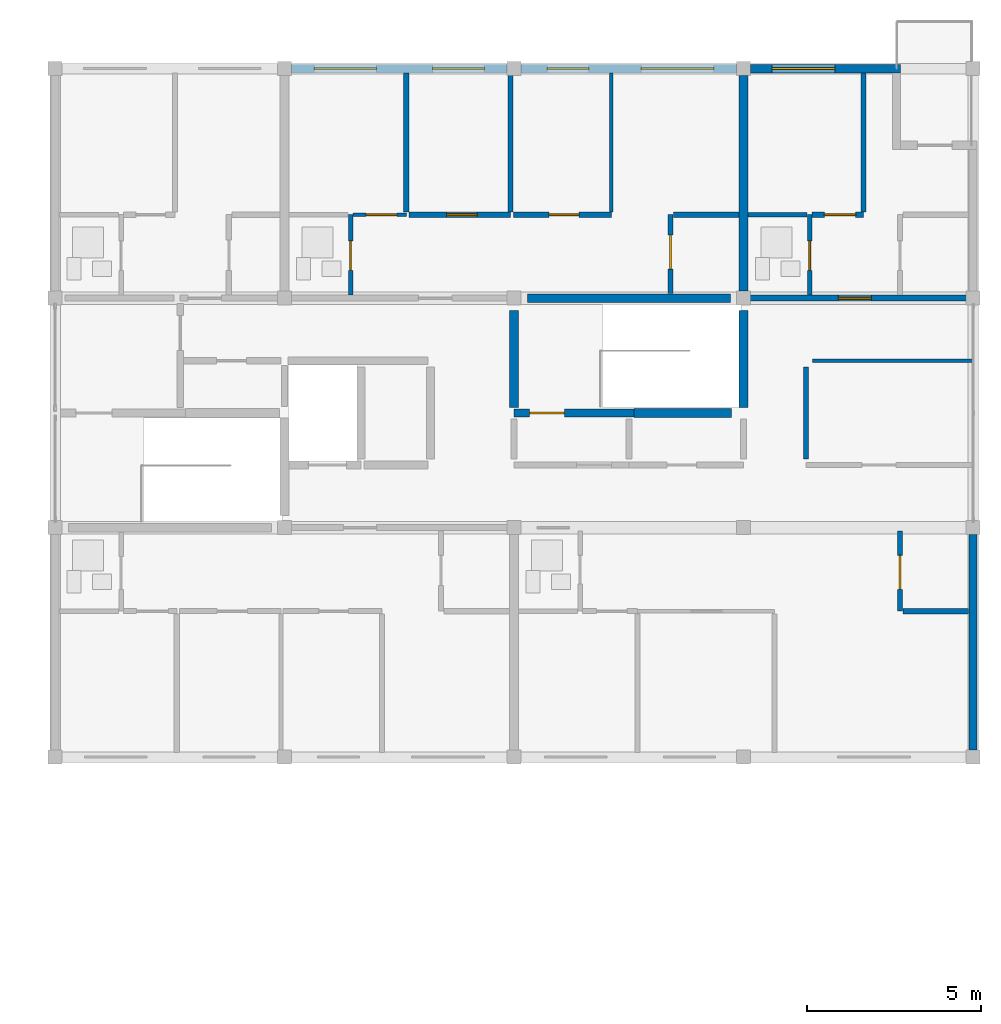
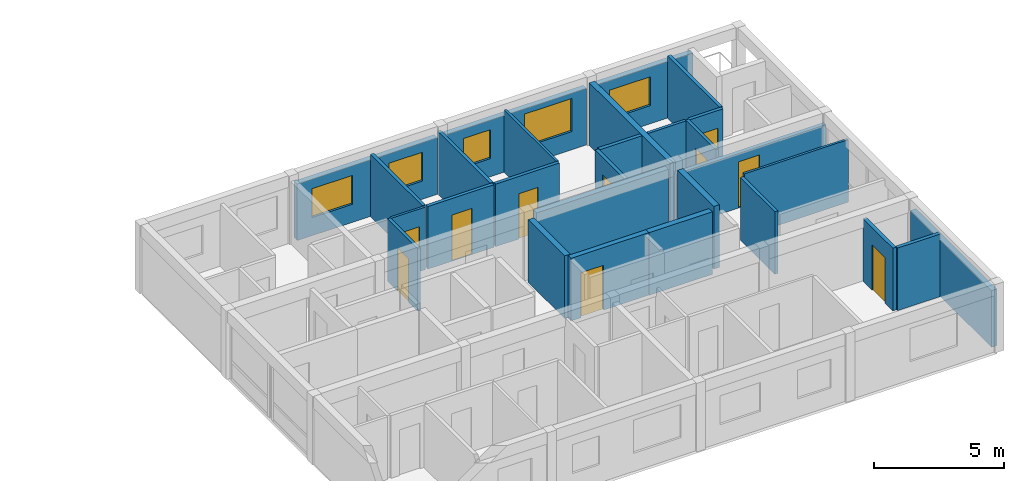
# One storey, part 18 of 23: 28 walls, 10 doors, 5 windows, 15 openings.
"""IFC4 building model written with IfcOpenShell, lengths in metres."""

from ifc_helpers import new_model, si_unit, direction, frame, frame_2d, origin, place, context, subcontext, project, spatial, rectangle, extrude, material, layer, layer_set, type_object, element, fill, save


model = new_model("IFC4")

# Units and contexts
model_context = context("Model", 3, precision=1e-05, world=origin(), true_north=direction((0.0, 1.0)))
body_context = subcontext(model_context, "Body", "Model", "MODEL_VIEW")
ifc_project = project(units=[si_unit("LENGTHUNIT", "METRE"), si_unit("AREAUNIT", "SQUARE_METRE"), si_unit("VOLUMEUNIT", "CUBIC_METRE"), si_unit("PLANEANGLEUNIT", "RADIAN"), si_unit("MASSUNIT", "GRAM", prefix="KILO")], contexts=[model_context])

# Site, building, storey
site_placement = place(None, origin())
site = spatial("IfcSite", under=ifc_project, at=site_placement, CompositionType="ELEMENT")
building_placement = place(site_placement, origin())
building = spatial("IfcBuilding", under=site, at=building_placement, Name="Kernevlak Ridge Housing Community", CompositionType="ELEMENT")
storey_placement = place(building_placement, frame((0.0, 0.0, 46.800048828125)))
storey = spatial("IfcBuildingStorey", under=building, at=storey_placement, Name="L14", CompositionType="ELEMENT", Elevation=46.800048828125)

# Wall, openings, windows
ifc_material_1 = material(Name="Concrete block masonry M10", Category="masonry")
ifc_layer_1 = layer(ifc_material_1, 0.239990234375, Name="Concrete block masonry M10")
ifc_layer_set_1 = layer_set([ifc_layer_1], Name="Concrete block masonry M10")
wall_type_1 = type_object("IfcWallType", Name="EW-06", PredefinedType="STANDARD", material=ifc_layer_set_1)
wall_1_placement = place(storey_placement, frame((126.199951171875, 102.39990234375, 0.0), z_axis=(0.0, 0.0, 1.0), x_axis=(1.0, 0.0, 0.0)))
wall_1 = element("IfcWall", 1, at=wall_1_placement, inside=storey, type_object=wall_type_1, Name="Exterior wall EW-06 L14 519", PredefinedType="STANDARD", context=body_context, shape_type="SweptSolid", body=[
    extrude(rectangle(XDim=6.199951171875, YDim=0.239990234375, at=frame_2d((3.10009765625, 0.0))), origin(), (0.0, 0.0, 1.0), 2.64990234375),
])
opening_1_placement = place(wall_1_placement, frame((0.64990234375, 0.0, 0.85009765625)))
opening_1 = element("IfcOpeningElement", 2, at=opening_1_placement, cuts=wall_1, Name="Opening WT-03", PredefinedType="OPENING", context=body_context, shape_type="SweptSolid", body=[
    extrude(rectangle(XDim=1.800048828125, YDim=1.35009765625, at=frame_2d((0.89990234375, 0.675048828125))), frame((0.0, 0.1298828125, 0.0), z_axis=(0.0, -1.0, 0.0), x_axis=(1.0, 0.0, 0.0)), (0.0, 0.0, 1.0), 0.260009765625),
])
opening_2_placement = place(wall_1_placement, frame((4.050048828125, 0.0, 0.85009765625)))
opening_2 = element("IfcOpeningElement", 3, at=opening_2_placement, cuts=wall_1, Name="Opening WT-02", PredefinedType="OPENING", context=body_context, shape_type="SweptSolid", body=[
    extrude(rectangle(XDim=1.5, YDim=1.35009765625, at=frame_2d((0.75, 0.675048828125))), frame((0.0, 0.1298828125, 0.0), z_axis=(0.0, -1.0, 0.0), x_axis=(1.0, 0.0, 0.0)), (0.0, 0.0, 1.0), 0.260009765625),
])
ifc_material_2 = material(Name="Aluminium EN AW-6060 anodised and laminated glass", Category="aluminium")
window_type_1 = type_object("IfcWindowType", Name="WT-02", PartitioningType="SINGLE_PANEL", PredefinedType="WINDOW", material=ifc_material_2)
window_1_placement = place(opening_2_placement, origin())
window_1 = element("IfcWindow", 4, at=window_1_placement, inside=storey, type_object=window_type_1, Name="Window WT-02 L14 411", OverallHeight=1.35009765625, OverallWidth=1.5, PartitioningType="SINGLE_PANEL", PredefinedType="WINDOW", context=body_context, shape_type="SweptSolid", body=[
    extrude(rectangle(XDim=1.5, YDim=1.35009765625, at=frame_2d((0.75, 0.675048828125))), frame((0.0, 0.030029296875, 0.0), z_axis=(0.0, -1.0, 0.0), x_axis=(1.0, 0.0, 0.0)), (0.0, 0.0, 1.0), 0.06005859375),
])
fill(opening_2, window_1)
window_type_2 = type_object("IfcWindowType", Name="WT-03", PartitioningType="SINGLE_PANEL", PredefinedType="WINDOW", material=ifc_material_2)
window_2_placement = place(opening_1_placement, origin())
window_2 = element("IfcWindow", 5, at=window_2_placement, inside=storey, type_object=window_type_2, Name="Window WT-03 L14 410", OverallHeight=1.35009765625, OverallWidth=1.800048828125, PartitioningType="SINGLE_PANEL", PredefinedType="WINDOW", context=body_context, shape_type="SweptSolid", body=[
    extrude(rectangle(XDim=1.800048828125, YDim=1.35009765625, at=frame_2d((0.89990234375, 0.675048828125))), frame((0.0, 0.030029296875, 0.0), z_axis=(0.0, -1.0, 0.0), x_axis=(1.0, 0.0, 0.0)), (0.0, 0.0, 1.0), 0.06005859375),
])
fill(opening_1, window_2)

wall_2_placement = place(storey_placement, frame((132.800048828125, 102.39990234375, 0.0), z_axis=(0.0, 0.0, 1.0), x_axis=(1.0, 0.0, 0.0)))
wall_2 = element("IfcWall", 6, at=wall_2_placement, inside=storey, type_object=wall_type_1, Name="Exterior wall EW-06 L14 520", PredefinedType="STANDARD", context=body_context, shape_type="SweptSolid", body=[
    extrude(rectangle(XDim=6.199951171875, YDim=0.239990234375, at=frame_2d((3.10009765625, 0.0))), origin(), (0.0, 0.0, 1.0), 2.64990234375),
])
opening_3_placement = place(wall_2_placement, frame((0.75, 0.0, 0.85009765625)))
opening_3 = element("IfcOpeningElement", 7, at=opening_3_placement, cuts=wall_2, Name="Opening WT-01", PredefinedType="OPENING", context=body_context, shape_type="SweptSolid", body=[
    extrude(rectangle(XDim=1.199951171875, YDim=1.35009765625, at=frame_2d((0.60009765625, 0.675048828125))), frame((0.0, 0.1298828125, 0.0), z_axis=(0.0, -1.0, 0.0), x_axis=(1.0, 0.0, 0.0)), (0.0, 0.0, 1.0), 0.260009765625),
])
opening_4_placement = place(wall_2_placement, frame((3.449951171875, 0.0, 0.85009765625)))
opening_4 = element("IfcOpeningElement", 8, at=opening_4_placement, cuts=wall_2, Name="Opening WT-05", PredefinedType="OPENING", context=body_context, shape_type="SweptSolid", body=[
    extrude(rectangle(XDim=2.10009765625, YDim=1.550048828125, at=frame_2d((1.050048828125, 0.77490234375))), frame((0.0, 0.1298828125, 0.0), z_axis=(0.0, -1.0, 0.0), x_axis=(1.0, 0.0, 0.0)), (0.0, 0.0, 1.0), 0.260009765625),
])
window_type_3 = type_object("IfcWindowType", Name="WT-01", PartitioningType="SINGLE_PANEL", PredefinedType="WINDOW", material=ifc_material_2)
window_3_placement = place(opening_3_placement, origin())
window_3 = element("IfcWindow", 9, at=window_3_placement, inside=storey, type_object=window_type_3, Name="Window WT-01 L14 412", OverallHeight=1.35009765625, OverallWidth=1.199951171875, PartitioningType="SINGLE_PANEL", PredefinedType="WINDOW", context=body_context, shape_type="SweptSolid", body=[
    extrude(rectangle(XDim=1.199951171875, YDim=1.35009765625, at=frame_2d((0.60009765625, 0.675048828125))), frame((0.0, 0.030029296875, 0.0), z_axis=(0.0, -1.0, 0.0), x_axis=(1.0, 0.0, 0.0)), (0.0, 0.0, 1.0), 0.06005859375),
])
fill(opening_3, window_3)
window_type_4 = type_object("IfcWindowType", Name="WT-05", PartitioningType="SINGLE_PANEL", PredefinedType="WINDOW", material=ifc_material_2)
window_4_placement = place(opening_4_placement, origin())
window_4 = element("IfcWindow", 10, at=window_4_placement, inside=storey, type_object=window_type_4, Name="Window WT-05 L14 413", OverallHeight=1.550048828125, OverallWidth=2.10009765625, PartitioningType="SINGLE_PANEL", PredefinedType="WINDOW", context=body_context, shape_type="SweptSolid", body=[
    extrude(rectangle(XDim=2.10009765625, YDim=1.550048828125, at=frame_2d((1.050048828125, 0.77490234375))), frame((0.0, 0.030029296875, 0.0), z_axis=(0.0, -1.0, 0.0), x_axis=(1.0, 0.0, 0.0)), (0.0, 0.0, 1.0), 0.06005859375),
])
fill(opening_4, window_4)

# Wall, opening, window
wall_3_placement = place(storey_placement, frame((139.39990234375, 102.39990234375, 0.0), z_axis=(0.0, 0.0, 1.0), x_axis=(1.0, 0.0, 0.0)))
wall_3 = element("IfcWall", 11, at=wall_3_placement, inside=storey, type_object=wall_type_1, Name="Exterior wall EW-06 L14 521", PredefinedType="STANDARD", context=body_context, shape_type="SweptSolid", body=[
    extrude(rectangle(XDim=4.320068359375, YDim=0.239990234375, at=frame_2d((2.16015625, 0.0))), origin(), (0.0, 0.0, 1.0), 2.64990234375),
])
opening_5_placement = place(wall_3_placement, frame((0.625, 0.0, 0.85009765625)))
opening_5 = element("IfcOpeningElement", 12, at=opening_5_placement, cuts=wall_3, Name="Opening WT-03", PredefinedType="OPENING", context=body_context, shape_type="SweptSolid", body=[
    extrude(rectangle(XDim=1.800048828125, YDim=1.35009765625, at=frame_2d((0.89990234375, 0.675048828125))), frame((0.0, 0.1298828125, 0.0), z_axis=(0.0, -1.0, 0.0), x_axis=(1.0, 0.0, 0.0)), (0.0, 0.0, 1.0), 0.260009765625),
])
window_5_placement = place(opening_5_placement, origin())
window_5 = element("IfcWindow", 13, at=window_5_placement, inside=storey, type_object=window_type_2, Name="Window WT-03 L14 414", OverallHeight=1.35009765625, OverallWidth=1.800048828125, PartitioningType="SINGLE_PANEL", PredefinedType="WINDOW", context=body_context, shape_type="SweptSolid", body=[
    extrude(rectangle(XDim=1.800048828125, YDim=1.35009765625, at=frame_2d((0.89990234375, 0.675048828125))), frame((0.0, 0.030029296875, 0.0), z_axis=(0.0, -1.0, 0.0), x_axis=(1.0, 0.0, 0.0)), (0.0, 0.0, 1.0), 0.06005859375),
])
fill(opening_5, window_5)

# Wall
wall_4_placement = place(storey_placement, frame((145.800048828125, 82.800048828125, 0.0), z_axis=(0.0, 0.0, 1.0), x_axis=(0.0, 1.0, 0.0)))
element("IfcWall", 14, at=wall_4_placement, inside=storey, type_object=wall_type_1, Name="Exterior wall EW-06 L14 526", PredefinedType="STANDARD", context=body_context, shape_type="SweptSolid", body=[
    extrude(rectangle(XDim=6.199951171875, YDim=0.239990234375, at=frame_2d((3.10009765625, 0.0))), origin(), (0.0, 0.0, 1.0), 2.64990234375),
])

# Wall, opening, door
ifc_material_3 = material(Name="Concrete C35/45", Category="concrete")
ifc_layer_2 = layer(ifc_material_3, 0.22509765625, Name="Concrete C35/45")
ifc_layer_set_2 = layer_set([ifc_layer_2], Name="Concrete C35/45")
wall_type_2 = type_object("IfcWallType", Name="PW-01", PredefinedType="STANDARD", material=ifc_layer_set_2)
wall_5_placement = place(storey_placement, frame((132.60009765625, 92.5, 0.0), z_axis=(0.0, 0.0, 1.0), x_axis=(1.0, 0.0, 0.0)))
wall_5 = element("IfcWall", 15, at=wall_5_placement, inside=storey, type_object=wall_type_2, Name="Interior wall PW-01 WAL-INT-L14-2029", PredefinedType="STANDARD", context=body_context, shape_type="SweptSolid", body=[
    extrude(rectangle(XDim=3.449951171875, YDim=0.22509765625, at=frame_2d((1.72509765625, 0.0))), origin(), (0.0, 0.0, 1.0), 2.929931640625),
])
opening_6_placement = place(wall_5_placement, frame((0.449951171875, 0.0, 0.0)))
opening_6 = element("IfcOpeningElement", 16, at=opening_6_placement, cuts=wall_5, Name="Opening E029", PredefinedType="OPENING", context=body_context, shape_type="SweptSolid", body=[
    extrude(rectangle(XDim=1.0, YDim=2.10009765625, at=frame_2d((0.5, 1.050048828125))), frame((0.0, 0.12255859375, 0.0), z_axis=(0.0, -1.0, 0.0), x_axis=(1.0, 0.0, 0.0)), (0.0, 0.0, 1.0), 0.2451171875),
])
ifc_material_4 = material(Name="Fire-rated sheet steel leaf", Category="steel")
door_type_1 = type_object("IfcDoorType", Name="DT-05", OperationType="NOTDEFINED", PredefinedType="DOOR", material=ifc_material_4)
door_1_placement = place(opening_6_placement, origin())
door_1 = element("IfcDoor", 17, at=door_1_placement, inside=storey, type_object=door_type_1, Name="Block B Stair 2 fire door E029", OperationType="SINGLE_SWING_RIGHT", OverallHeight=2.10009765625, OverallWidth=1.0, PredefinedType="DOOR", context=body_context, shape_type="SweptSolid", body=[
    extrude(rectangle(XDim=1.0, YDim=2.10009765625, at=frame_2d((0.5, 1.050048828125))), frame((0.0, 0.02490234375, 0.0), z_axis=(0.0, -1.0, 0.0), x_axis=(1.0, 0.0, 0.0)), (0.0, 0.0, 1.0), 0.050048828125),
])
fill(opening_6, door_1)

ifc_layer_3 = layer(ifc_material_1, 0.175048828125, Name="Concrete block masonry M10")
ifc_layer_set_3 = layer_set([ifc_layer_3], Name="Concrete block masonry M10")
wall_type_3 = type_object("IfcWallType", Name="PW-02", PredefinedType="PARTITIONING", material=ifc_layer_set_3)
wall_6_placement = place(storey_placement, frame((139.199951171875, 95.800048828125, 0.0), z_axis=(0.0, 0.0, 1.0), x_axis=(1.0, 0.0, 0.0)))
wall_6 = element("IfcWall", 18, at=wall_6_placement, inside=storey, type_object=wall_type_3, Name="Interior wall PW-02 WAL-INT-L14-2077", PredefinedType="PARTITIONING", context=body_context, shape_type="SweptSolid", body=[
    extrude(rectangle(XDim=6.60009765625, YDim=0.175048828125, at=frame_2d((3.300048828125, 0.0))), origin(), (0.0, 0.0, 1.0), 2.550048828125),
])
opening_7_placement = place(wall_6_placement, frame((2.72509765625, 0.0, 0.0)))
opening_7 = element("IfcOpeningElement", 19, at=opening_7_placement, cuts=wall_6, Name="Opening E054", PredefinedType="OPENING", context=body_context, shape_type="SweptSolid", body=[
    extrude(rectangle(XDim=0.949951171875, YDim=2.159912109375, at=frame_2d((0.47509765625, 1.080078125))), frame((0.0, 0.097412109375, 0.0), z_axis=(0.0, -1.0, 0.0), x_axis=(1.0, 0.0, 0.0)), (0.0, 0.0, 1.0), 0.195068359375),
])
ifc_material_5 = material(Name="Hardwood timber solid-core fire leaf", Category="wood")
door_type_2 = type_object("IfcDoorType", Name="DT-02", OperationType="NOTDEFINED", PredefinedType="DOOR", material=ifc_material_5)
door_2_placement = place(opening_7_placement, origin())
door_2 = element("IfcDoor", 20, at=door_2_placement, inside=storey, type_object=door_type_2, Name="Flat B1423 entrance fire door E054", OperationType="SINGLE_SWING_LEFT", OverallHeight=2.159912109375, OverallWidth=0.949951171875, PredefinedType="DOOR", context=body_context, shape_type="SweptSolid", body=[
    extrude(rectangle(XDim=0.949951171875, YDim=2.159912109375, at=frame_2d((0.47509765625, 1.080078125))), frame((0.0, 0.02490234375, 0.0), z_axis=(0.0, -1.0, 0.0), x_axis=(1.0, 0.0, 0.0)), (0.0, 0.0, 1.0), 0.050048828125),
])
fill(opening_7, door_2)

# Walls
ifc_layer_4 = layer(ifc_material_1, 0.14501953125, Name="Concrete block masonry M10")
ifc_layer_set_4 = layer_set([ifc_layer_4], Name="Concrete block masonry M10")
wall_type_4 = type_object("IfcWallType", Name="PW-03", PredefinedType="PARTITIONING", material=ifc_layer_set_4)
wall_7_placement = place(storey_placement, frame((141.0, 91.179931640625, 0.0), z_axis=(0.0, 0.0, 1.0), x_axis=(0.0, 1.0, 0.0)))
element("IfcWall", 21, at=wall_7_placement, inside=storey, type_object=wall_type_4, Name="Interior wall PW-03 WAL-INT-L14-2037", PredefinedType="PARTITIONING", context=body_context, shape_type="SweptSolid", body=[
    extrude(rectangle(XDim=2.64013671875, YDim=0.14501953125, at=frame_2d((1.320068359375, 0.0))), origin(), (0.0, 0.0, 1.0), 2.929931640625),
])
wall_8_placement = place(storey_placement, frame((129.5, 98.280029296875, 0.0), z_axis=(0.0, 0.0, 1.0), x_axis=(0.0, 1.0, 0.0)))
element("IfcWall", 22, at=wall_8_placement, inside=storey, type_object=wall_type_4, Name="Interior wall PW-03 WAL-INT-L14-2072", PredefinedType="PARTITIONING", context=body_context, shape_type="SweptSolid", body=[
    extrude(rectangle(XDim=3.989990234375, YDim=0.14501953125, at=frame_2d((1.9951171875, 0.0))), origin(), (0.0, 0.0, 1.0), 2.929931640625),
])

# Wall, opening, door
wall_9_placement = place(storey_placement, frame((129.58251953125, 98.199951171875, 0.0), z_axis=(0.0, 0.0, 1.0), x_axis=(1.0, 0.0, 0.0)))
wall_9 = element("IfcWall", 23, at=wall_9_placement, inside=storey, type_object=wall_type_4, Name="Interior wall PW-03 WAL-INT-L14-2073", PredefinedType="PARTITIONING", context=body_context, shape_type="SweptSolid", body=[
    extrude(rectangle(XDim=2.91748046875, YDim=0.14501953125, at=frame_2d((1.458740234375, 0.0))), origin(), (0.0, 0.0, 1.0), 2.929931640625),
])
opening_8_placement = place(wall_9_placement, frame((1.074951171875, 0.0, 0.0)))
opening_8 = element("IfcOpeningElement", 24, at=opening_8_placement, cuts=wall_9, Name="Opening E052", PredefinedType="OPENING", context=body_context, shape_type="SweptSolid", body=[
    extrude(rectangle(XDim=0.8798828125, YDim=2.159912109375, at=frame_2d((0.43994140625, 1.080078125))), frame((0.0, 0.08251953125, 0.0), z_axis=(0.0, -1.0, 0.0), x_axis=(1.0, 0.0, 0.0)), (0.0, 0.0, 1.0), 0.1650390625),
])
ifc_material_6 = material(Name="Hardwood timber leaf", Category="wood")
door_type_3 = type_object("IfcDoorType", Name="DT-26", OperationType="NOTDEFINED", PredefinedType="DOOR", material=ifc_material_6)
door_3_placement = place(opening_8_placement, origin())
door_3 = element("IfcDoor", 25, at=door_3_placement, inside=storey, type_object=door_type_3, Name="Flat B1422 bedroom door E052", OperationType="SINGLE_SWING_LEFT", OverallHeight=2.159912109375, OverallWidth=0.8798828125, PredefinedType="DOOR", context=body_context, shape_type="SweptSolid", body=[
    extrude(rectangle(XDim=0.8798828125, YDim=2.159912109375, at=frame_2d((0.43994140625, 1.080078125))), frame((0.0, 0.02490234375, 0.0), z_axis=(0.0, -1.0, 0.0), x_axis=(1.0, 0.0, 0.0)), (0.0, 0.0, 1.0), 0.050048828125),
])
fill(opening_8, door_3)

# Wall
wall_10_placement = place(storey_placement, frame((132.5, 98.282470703125, 0.0), z_axis=(0.0, 0.0, 1.0), x_axis=(0.0, 1.0, 0.0)))
element("IfcWall", 26, at=wall_10_placement, inside=storey, type_object=wall_type_4, Name="Interior wall PW-03 WAL-INT-L14-2074", PredefinedType="PARTITIONING", context=body_context, shape_type="SweptSolid", body=[
    extrude(rectangle(XDim=4.03759765625, YDim=0.14501953125, at=frame_2d((2.018798828125, 0.0))), origin(), (0.0, 0.0, 1.0), 2.929931640625),
])

# Wall, opening, door
wall_11_placement = place(storey_placement, frame((132.58251953125, 98.199951171875, 0.0), z_axis=(0.0, 0.0, 1.0), x_axis=(1.0, 0.0, 0.0)))
wall_11 = element("IfcWall", 27, at=wall_11_placement, inside=storey, type_object=wall_type_4, Name="Interior wall PW-03 WAL-INT-L14-2075", PredefinedType="PARTITIONING", context=body_context, shape_type="SweptSolid", body=[
    extrude(rectangle(XDim=2.8173828125, YDim=0.14501953125, at=frame_2d((1.40869140625, 0.0))), origin(), (0.0, 0.0, 1.0), 2.929931640625),
])
opening_9_placement = place(wall_11_placement, frame((1.02490234375, 0.0, 0.0)))
opening_9 = element("IfcOpeningElement", 28, at=opening_9_placement, cuts=wall_11, Name="Opening E053", PredefinedType="OPENING", context=body_context, shape_type="SweptSolid", body=[
    extrude(rectangle(XDim=0.860107421875, YDim=2.1201171875, at=frame_2d((0.43017578125, 1.06005859375))), frame((0.0, 0.08251953125, 0.0), z_axis=(0.0, -1.0, 0.0), x_axis=(1.0, 0.0, 0.0)), (0.0, 0.0, 1.0), 0.1650390625),
])
door_type_4 = type_object("IfcDoorType", Name="DT-28", OperationType="NOTDEFINED", PredefinedType="DOOR", material=ifc_material_6)
door_4_placement = place(opening_9_placement, origin())
door_4 = element("IfcDoor", 29, at=door_4_placement, inside=storey, type_object=door_type_4, Name="Flat B1422 bedroom door E053", OperationType="SINGLE_SWING_RIGHT", OverallHeight=2.1201171875, OverallWidth=0.860107421875, PredefinedType="DOOR", context=body_context, shape_type="SweptSolid", body=[
    extrude(rectangle(XDim=0.860107421875, YDim=2.1201171875, at=frame_2d((0.43017578125, 1.06005859375))), frame((0.0, 0.02490234375, 0.0), z_axis=(0.0, -1.0, 0.0), x_axis=(1.0, 0.0, 0.0)), (0.0, 0.0, 1.0), 0.050048828125),
])
fill(opening_9, door_4)

wall_12_placement = place(storey_placement, frame((141.172607421875, 98.199951171875, 0.0), z_axis=(0.0, 0.0, 1.0), x_axis=(1.0, 0.0, 0.0)))
wall_12 = element("IfcWall", 30, at=wall_12_placement, inside=storey, type_object=wall_type_4, Name="Interior wall PW-03 WAL-INT-L14-2082", PredefinedType="PARTITIONING", context=body_context, shape_type="SweptSolid", body=[
    extrude(rectangle(XDim=1.477294921875, YDim=0.14501953125, at=frame_2d((0.73876953125, 0.0))), origin(), (0.0, 0.0, 1.0), 2.929931640625),
])
opening_10_placement = place(wall_12_placement, frame((0.35009765625, 0.0, 0.0)))
opening_10 = element("IfcOpeningElement", 31, at=opening_10_placement, cuts=wall_12, Name="Opening E057", PredefinedType="OPENING", context=body_context, shape_type="SweptSolid", body=[
    extrude(rectangle(XDim=0.89990234375, YDim=2.10009765625, at=frame_2d((0.449951171875, 1.050048828125))), frame((0.0, 0.08251953125, 0.0), z_axis=(0.0, -1.0, 0.0), x_axis=(1.0, 0.0, 0.0)), (0.0, 0.0, 1.0), 0.1650390625),
])
door_type_5 = type_object("IfcDoorType", Name="DT-21", OperationType="NOTDEFINED", PredefinedType="DOOR", material=ifc_material_6)
door_5_placement = place(opening_10_placement, origin())
door_5 = element("IfcDoor", 32, at=door_5_placement, inside=storey, type_object=door_type_5, Name="Flat B1423 bedroom door E057", OperationType="SINGLE_SWING_RIGHT", OverallHeight=2.10009765625, OverallWidth=0.89990234375, PredefinedType="DOOR", context=body_context, shape_type="SweptSolid", body=[
    extrude(rectangle(XDim=0.89990234375, YDim=2.10009765625, at=frame_2d((0.449951171875, 1.050048828125))), frame((0.0, 0.02490234375, 0.0), z_axis=(0.0, -1.0, 0.0), x_axis=(1.0, 0.0, 0.0)), (0.0, 0.0, 1.0), 0.050048828125),
])
fill(opening_10, door_5)

# Wall
wall_13_placement = place(storey_placement, frame((142.64990234375, 98.282470703125, 0.0), z_axis=(0.0, 0.0, 1.0), x_axis=(0.0, 1.0, 0.0)))
element("IfcWall", 33, at=wall_13_placement, inside=storey, type_object=wall_type_4, Name="Interior wall PW-03 WAL-INT-L14-2083", PredefinedType="PARTITIONING", context=body_context, shape_type="SweptSolid", body=[
    extrude(rectangle(XDim=3.987548828125, YDim=0.14501953125, at=frame_2d((1.99365234375, 0.0))), origin(), (0.0, 0.0, 1.0), 2.929931640625),
])

# Wall, opening, door
ifc_material_7 = material(Name="Gypsum plasterboard EN 520", Category="gypsum")
ifc_layer_5 = layer(ifc_material_7, 0.125, Name="Gypsum plasterboard EN 520")
ifc_layer_set_5 = layer_set([ifc_layer_5], Name="Gypsum plasterboard EN 520")
wall_type_5 = type_object("IfcWallType", Name="PW-04", PredefinedType="PARTITIONING", material=ifc_layer_set_5)
wall_14_placement = place(storey_placement, frame((127.89990234375, 95.8974609375, 0.0), z_axis=(0.0, 0.0, 1.0), x_axis=(0.0, 1.0, 0.0)))
wall_14 = element("IfcWall", 34, at=wall_14_placement, inside=storey, type_object=wall_type_5, Name="Interior wall PW-04 WAL-INT-L14-2067", PredefinedType="PARTITIONING", context=body_context, shape_type="SweptSolid", body=[
    extrude(rectangle(XDim=2.302490234375, YDim=0.125, at=frame_2d((1.1513671875, 0.0))), origin(), (0.0, 0.0, 1.0), 2.929931640625),
])
opening_11_placement = place(wall_14_placement, frame((0.699951171875, 0.0, 0.0)))
opening_11 = element("IfcOpeningElement", 35, at=opening_11_placement, cuts=wall_14, Name="Opening E049", PredefinedType="OPENING", context=body_context, shape_type="SweptSolid", body=[
    extrude(rectangle(XDim=0.85009765625, YDim=2.0400390625, at=frame_2d((0.425048828125, 1.02001953125))), frame((0.0, 0.072509765625, 0.0), z_axis=(0.0, -1.0, 0.0), x_axis=(1.0, 0.0, 0.0)), (0.0, 0.0, 1.0), 0.14501953125),
])
ifc_material_8 = material(Name="Hardwood timber moisture-resistant leaf", Category="wood")
door_type_6 = type_object("IfcDoorType", Name="DT-04", OperationType="NOTDEFINED", PredefinedType="DOOR", material=ifc_material_8)
door_6_placement = place(opening_11_placement, origin())
door_6 = element("IfcDoor", 36, at=door_6_placement, inside=storey, type_object=door_type_6, Name="Flat B1422 bathroom door E049", OperationType="SINGLE_SWING_RIGHT", OverallHeight=2.0400390625, OverallWidth=0.85009765625, PredefinedType="DOOR", context=body_context, shape_type="SweptSolid", body=[
    extrude(rectangle(XDim=0.85009765625, YDim=2.0400390625, at=frame_2d((0.425048828125, 1.02001953125))), frame((0.0, 0.02490234375, 0.0), z_axis=(0.0, -1.0, 0.0), x_axis=(1.0, 0.0, 0.0)), (0.0, 0.0, 1.0), 0.050048828125),
])
fill(opening_11, door_6)

wall_15_placement = place(storey_placement, frame((141.10009765625, 95.8974609375, 0.0), z_axis=(0.0, 0.0, 1.0), x_axis=(0.0, 1.0, 0.0)))
wall_15 = element("IfcWall", 37, at=wall_15_placement, inside=storey, type_object=wall_type_5, Name="Interior wall PW-04 WAL-INT-L14-2078", PredefinedType="PARTITIONING", context=body_context, shape_type="SweptSolid", body=[
    extrude(rectangle(XDim=2.302490234375, YDim=0.125, at=frame_2d((1.1513671875, 0.0))), origin(), (0.0, 0.0, 1.0), 2.929931640625),
])
opening_12_placement = place(wall_15_placement, frame((0.699951171875, 0.0, 0.0)))
opening_12 = element("IfcOpeningElement", 38, at=opening_12_placement, cuts=wall_15, Name="Opening E055", PredefinedType="OPENING", context=body_context, shape_type="SweptSolid", body=[
    extrude(rectangle(XDim=0.840087890625, YDim=2.06005859375, at=frame_2d((0.419921875, 1.030029296875))), frame((0.0, 0.072509765625, 0.0), z_axis=(0.0, -1.0, 0.0), x_axis=(1.0, 0.0, 0.0)), (0.0, 0.0, 1.0), 0.14501953125),
])
door_type_7 = type_object("IfcDoorType", Name="DT-27", OperationType="NOTDEFINED", PredefinedType="DOOR", material=ifc_material_8)
door_7_placement = place(opening_12_placement, origin())
door_7 = element("IfcDoor", 39, at=door_7_placement, inside=storey, type_object=door_type_7, Name="Flat B1423 bathroom door E055", OperationType="SINGLE_SWING_RIGHT", OverallHeight=2.06005859375, OverallWidth=0.840087890625, PredefinedType="DOOR", context=body_context, shape_type="SweptSolid", body=[
    extrude(rectangle(XDim=0.840087890625, YDim=2.06005859375, at=frame_2d((0.419921875, 1.030029296875))), frame((0.0, 0.02490234375, 0.0), z_axis=(0.0, -1.0, 0.0), x_axis=(1.0, 0.0, 0.0)), (0.0, 0.0, 1.0), 0.050048828125),
])
fill(opening_12, door_7)

# Wall
wall_16_placement = place(storey_placement, frame((139.3349609375, 98.199951171875, 0.0), z_axis=(0.0, 0.0, 1.0), x_axis=(1.0, 0.0, 0.0)))
element("IfcWall", 40, at=wall_16_placement, inside=storey, type_object=wall_type_5, Name="Interior wall PW-04 WAL-INT-L14-2079", PredefinedType="PARTITIONING", context=body_context, shape_type="SweptSolid", body=[
    extrude(rectangle(XDim=1.68505859375, YDim=0.125, at=frame_2d((0.842529296875, 0.0))), origin(), (0.0, 0.0, 1.0), 2.929931640625),
])

# Wall, opening, door
ifc_layer_6 = layer(ifc_material_7, 0.155029296875, Name="Gypsum plasterboard EN 520")
ifc_layer_set_6 = layer_set([ifc_layer_6], Name="Gypsum plasterboard EN 520")
wall_type_6 = type_object("IfcWallType", Name="PW-05", PredefinedType="PARTITIONING", material=ifc_layer_set_6)
wall_17_placement = place(storey_placement, frame((143.699951171875, 89.1025390625, 0.0), z_axis=(0.0, 0.0, 1.0), x_axis=(0.0, -1.0, 0.0)))
wall_17 = element("IfcWall", 41, at=wall_17_placement, inside=storey, type_object=wall_type_6, Name="Interior wall PW-05 WAL-INT-L14-2052", PredefinedType="PARTITIONING", context=body_context, shape_type="SweptSolid", body=[
    extrude(rectangle(XDim=2.302490234375, YDim=0.155029296875, at=frame_2d((1.1513671875, 0.0))), origin(), (0.0, 0.0, 1.0), 2.929931640625),
])
opening_13_placement = place(wall_17_placement, frame((0.699951171875, 0.0, 0.0)))
opening_13 = element("IfcOpeningElement", 42, at=opening_13_placement, cuts=wall_17, Name="Opening E041", PredefinedType="OPENING", context=body_context, shape_type="SweptSolid", body=[
    extrude(rectangle(XDim=0.97998046875, YDim=2.1201171875, at=frame_2d((0.489990234375, 1.06005859375))), frame((0.0, 0.08740234375, 0.0), z_axis=(0.0, -1.0, 0.0), x_axis=(1.0, 0.0, 0.0)), (0.0, 0.0, 1.0), 0.175048828125),
])
door_type_8 = type_object("IfcDoorType", Name="DT-24", OperationType="NOTDEFINED", PredefinedType="DOOR", material=ifc_material_6)
door_8_placement = place(opening_13_placement, origin())
door_8 = element("IfcDoor", 43, at=door_8_placement, inside=storey, type_object=door_type_8, Name="Flat B1412 kitchen door E041", OperationType="SINGLE_SWING_RIGHT", OverallHeight=2.1201171875, OverallWidth=0.97998046875, PredefinedType="DOOR", context=body_context, shape_type="SweptSolid", body=[
    extrude(rectangle(XDim=0.97998046875, YDim=2.1201171875, at=frame_2d((0.489990234375, 1.06005859375))), frame((0.0, 0.02490234375, 0.0), z_axis=(0.0, -1.0, 0.0), x_axis=(1.0, 0.0, 0.0)), (0.0, 0.0, 1.0), 0.050048828125),
])
fill(opening_13, door_8)

# Wall
wall_18_placement = place(storey_placement, frame((143.78759765625, 86.800048828125, 0.0), z_axis=(0.0, 0.0, 1.0), x_axis=(1.0, 0.0, 0.0)))
element("IfcWall", 44, at=wall_18_placement, inside=storey, type_object=wall_type_6, Name="Interior wall PW-05 WAL-INT-L14-2053", PredefinedType="PARTITIONING", context=body_context, shape_type="SweptSolid", body=[
    extrude(rectangle(XDim=1.88232421875, YDim=0.155029296875, at=frame_2d((0.941162109375, 0.0))), origin(), (0.0, 0.0, 1.0), 2.929931640625),
])

# Wall, opening, door
wall_19_placement = place(storey_placement, frame((137.10009765625, 95.93505859375, 0.0), z_axis=(0.0, 0.0, 1.0), x_axis=(0.0, 1.0, 0.0)))
wall_19 = element("IfcWall", 45, at=wall_19_placement, inside=storey, type_object=wall_type_6, Name="Interior wall PW-05 WAL-INT-L14-2069", PredefinedType="PARTITIONING", context=body_context, shape_type="SweptSolid", body=[
    extrude(rectangle(XDim=2.264892578125, YDim=0.155029296875, at=frame_2d((1.13232421875, 0.0))), origin(), (0.0, 0.0, 1.0), 2.929931640625),
])
opening_14_placement = place(wall_19_placement, frame((0.699951171875, 0.0, 0.0)))
opening_14 = element("IfcOpeningElement", 46, at=opening_14_placement, cuts=wall_19, Name="Opening E050", PredefinedType="OPENING", context=body_context, shape_type="SweptSolid", body=[
    extrude(rectangle(XDim=0.97998046875, YDim=2.1201171875, at=frame_2d((0.489990234375, 1.06005859375))), frame((0.0, 0.08740234375, 0.0), z_axis=(0.0, -1.0, 0.0), x_axis=(1.0, 0.0, 0.0)), (0.0, 0.0, 1.0), 0.175048828125),
])
door_9_placement = place(opening_14_placement, origin())
door_9 = element("IfcDoor", 47, at=door_9_placement, inside=storey, type_object=door_type_8, Name="Flat B1422 kitchen door E050", OperationType="SINGLE_SWING_LEFT", OverallHeight=2.1201171875, OverallWidth=0.97998046875, PredefinedType="DOOR", context=body_context, shape_type="SweptSolid", body=[
    extrude(rectangle(XDim=0.97998046875, YDim=2.1201171875, at=frame_2d((0.489990234375, 1.06005859375))), frame((0.0, 0.02490234375, 0.0), z_axis=(0.0, -1.0, 0.0), x_axis=(1.0, 0.0, 0.0)), (0.0, 0.0, 1.0), 0.050048828125),
])
fill(opening_14, door_9)

# Walls
wall_20_placement = place(storey_placement, frame((137.1875, 98.199951171875, 0.0), z_axis=(0.0, 0.0, 1.0), x_axis=(1.0, 0.0, 0.0)))
element("IfcWall", 48, at=wall_20_placement, inside=storey, type_object=wall_type_6, Name="Interior wall PW-05 WAL-INT-L14-2070", PredefinedType="PARTITIONING", context=body_context, shape_type="SweptSolid", body=[
    extrude(rectangle(XDim=1.87744140625, YDim=0.155029296875, at=frame_2d((0.938720703125, 0.0))), origin(), (0.0, 0.0, 1.0), 2.929931640625),
])
ifc_layer_7 = layer(ifc_material_7, 0.10498046875, Name="Gypsum plasterboard EN 520")
ifc_layer_set_7 = layer_set([ifc_layer_7], Name="Gypsum plasterboard EN 520")
wall_type_7 = type_object("IfcWallType", Name="PW-06", PredefinedType="PARTITIONING", material=ifc_layer_set_7)
wall_21_placement = place(storey_placement, frame((141.179931640625, 94.0, 0.0), z_axis=(0.0, 0.0, 1.0), x_axis=(1.0, 0.0, 0.0)))
element("IfcWall", 49, at=wall_21_placement, inside=storey, type_object=wall_type_7, Name="Interior wall PW-06 WAL-INT-L14-2036", PredefinedType="PARTITIONING", context=body_context, shape_type="SweptSolid", body=[
    extrude(rectangle(XDim=4.60009765625, YDim=0.10498046875, at=frame_2d((2.300048828125, 0.0))), origin(), (0.0, 0.0, 1.0), 2.929931640625),
])

# Wall, opening, door
wall_22_placement = place(storey_placement, frame((127.972412109375, 98.199951171875, 0.0), z_axis=(0.0, 0.0, 1.0), x_axis=(1.0, 0.0, 0.0)))
wall_22 = element("IfcWall", 50, at=wall_22_placement, inside=storey, type_object=wall_type_7, Name="Interior wall PW-06 WAL-INT-L14-2071", PredefinedType="PARTITIONING", context=body_context, shape_type="SweptSolid", body=[
    extrude(rectangle(XDim=1.527587890625, YDim=0.10498046875, at=frame_2d((0.763671875, 0.0))), origin(), (0.0, 0.0, 1.0), 2.929931640625),
])
opening_15_placement = place(wall_22_placement, frame((0.375, 0.0, 0.0)))
opening_15 = element("IfcOpeningElement", 51, at=opening_15_placement, cuts=wall_22, Name="Opening E051", PredefinedType="OPENING", context=body_context, shape_type="SweptSolid", body=[
    extrude(rectangle(XDim=0.8798828125, YDim=2.10009765625, at=frame_2d((0.43994140625, 1.050048828125))), frame((0.0, 0.0625, 0.0), z_axis=(0.0, -1.0, 0.0), x_axis=(1.0, 0.0, 0.0)), (0.0, 0.0, 1.0), 0.125),
])
door_type_9 = type_object("IfcDoorType", Name="DT-25", OperationType="NOTDEFINED", PredefinedType="DOOR", material=ifc_material_6)
door_10_placement = place(opening_15_placement, origin())
door_10 = element("IfcDoor", 52, at=door_10_placement, inside=storey, type_object=door_type_9, Name="Flat B1422 bedroom door E051", OperationType="SINGLE_SWING_RIGHT", OverallHeight=2.10009765625, OverallWidth=0.8798828125, PredefinedType="DOOR", context=body_context, shape_type="SweptSolid", body=[
    extrude(rectangle(XDim=0.8798828125, YDim=2.10009765625, at=frame_2d((0.43994140625, 1.050048828125))), frame((0.0, 0.02490234375, 0.0), z_axis=(0.0, -1.0, 0.0), x_axis=(1.0, 0.0, 0.0)), (0.0, 0.0, 1.0), 0.050048828125),
])
fill(opening_15, door_10)

# Walls
wall_23_placement = place(storey_placement, frame((135.39990234375, 98.282470703125, 0.0), z_axis=(0.0, 0.0, 1.0), x_axis=(0.0, 1.0, 0.0)))
element("IfcWall", 53, at=wall_23_placement, inside=storey, type_object=wall_type_7, Name="Interior wall PW-06 WAL-INT-L14-2076", PredefinedType="PARTITIONING", context=body_context, shape_type="SweptSolid", body=[
    extrude(rectangle(XDim=3.987548828125, YDim=0.10498046875, at=frame_2d((1.99365234375, 0.0))), origin(), (0.0, 0.0, 1.0), 2.929931640625),
])
ifc_material_9 = material(Name="Concrete C40/50", Category="concrete")
ifc_layer_8 = layer(ifc_material_9, 0.25, Name="Concrete C40/50")
ifc_layer_set_8 = layer_set([ifc_layer_8], Name="Concrete C40/50")
wall_type_8 = type_object("IfcWallType", Name="SW-03", PredefinedType="SHEAR", material=ifc_layer_set_8)
wall_24_placement = place(storey_placement, frame((132.97998046875, 95.800048828125, 0.0), z_axis=(0.0, 0.0, 1.0), x_axis=(1.0, 0.0, 0.0)))
element("IfcWall", 54, at=wall_24_placement, inside=storey, type_object=wall_type_8, Name="Shear wall SW-03 Block B L14 354", PredefinedType="SHEAR", context=body_context, shape_type="SweptSolid", body=[
    extrude(rectangle(XDim=5.840087890625, YDim=0.25, at=frame_2d((2.919921875, 0.0))), origin(), (0.0, 0.0, 1.0), 2.929931640625),
])
for number, where, z_axis, x_axis, name in (
    (55, (136.050048828125, 92.5, 0.0), (0.0, 0.0, 1.0), (1.0, 0.0, 0.0), "Shear wall SW-03 Block B L14 355"),
    (56, (132.60009765625, 92.64990234375, 0.0), (0.0, 0.0, 1.0), (0.0, 1.0, 0.0), "Shear wall SW-03 Block B L14 356"),
    (57, (139.199951171875, 92.64990234375, 0.0), (0.0, 0.0, 1.0), (0.0, 1.0, 0.0), "Shear wall SW-03 Block B L14 357"),
):
    element("IfcWall", number, at=place(storey_placement, frame(where, z_axis=z_axis, x_axis=x_axis)), inside=storey, type_object=wall_type_8, Name=name, PredefinedType="SHEAR", context=body_context, shape_type="SweptSolid", body=[
        extrude(rectangle(XDim=2.800048828125, YDim=0.25, at=frame_2d((1.39990234375, 0.0))), origin(), (0.0, 0.0, 1.0), 2.929931640625),
    ])
wall_25_placement = place(storey_placement, frame((139.199951171875, 96.0, 0.0), z_axis=(0.0, 0.0, 1.0), x_axis=(0.0, 1.0, 0.0)))
element("IfcWall", 58, at=wall_25_placement, inside=storey, type_object=wall_type_8, Name="Shear wall SW-03 Block B L14 360", PredefinedType="SHEAR", context=body_context, shape_type="SweptSolid", body=[
    extrude(rectangle(XDim=6.199951171875, YDim=0.25, at=frame_2d((3.10009765625, 0.0))), origin(), (0.0, 0.0, 1.0), 2.929931640625),
])

save(model, "model.ifc")
